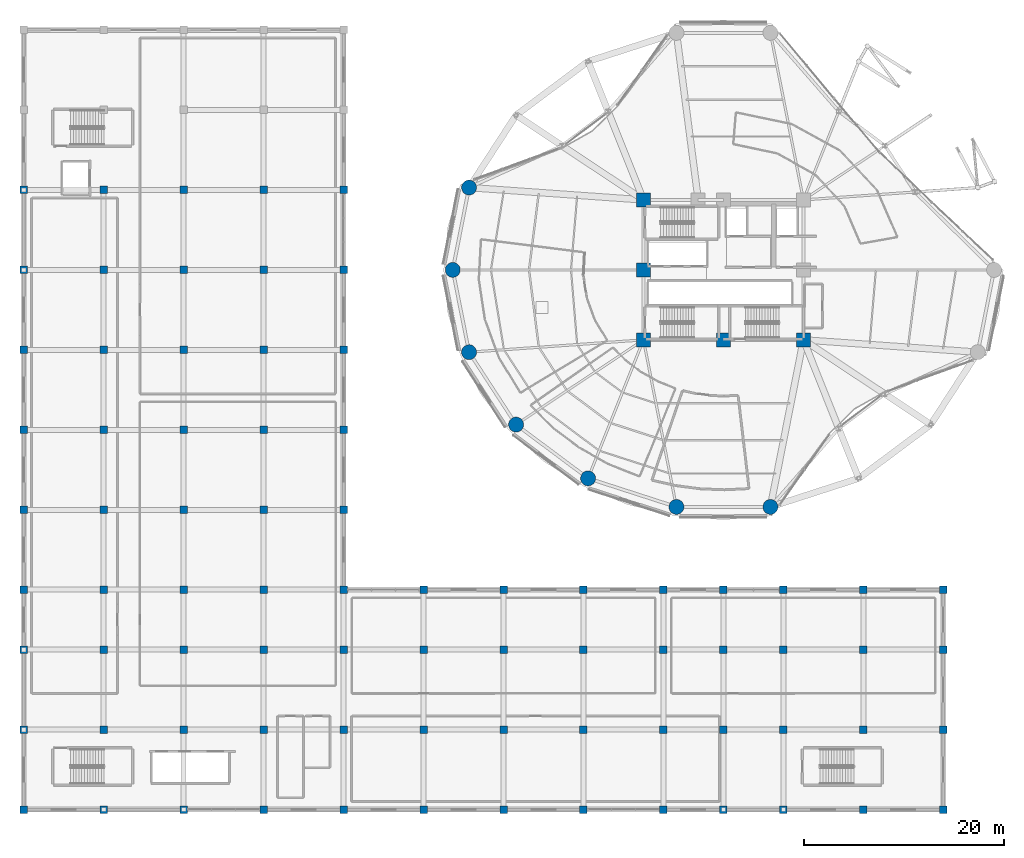
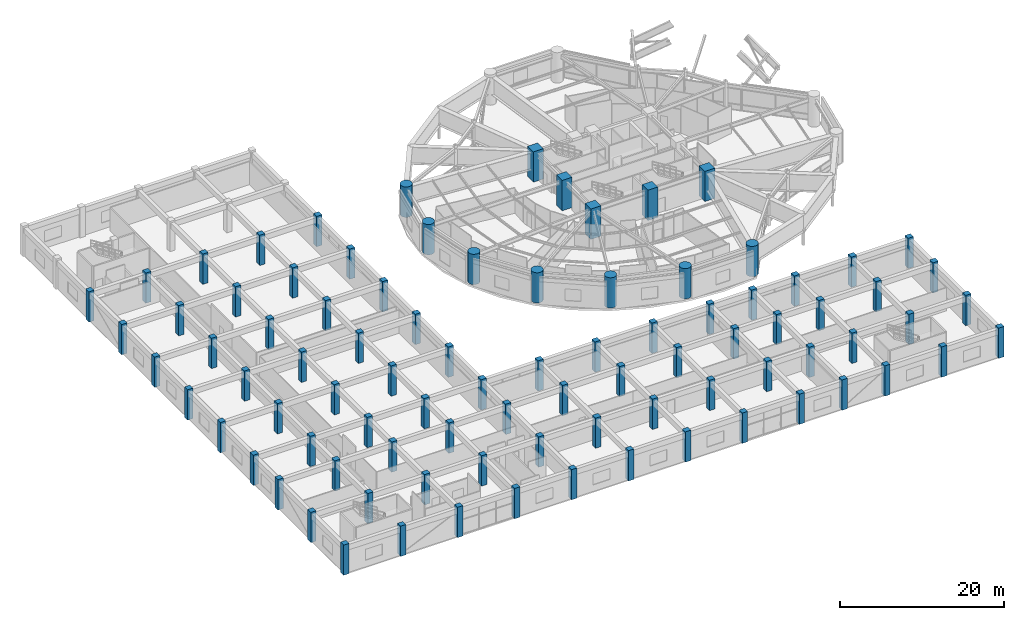
# One storey, part 1 of 53: 89 columns.
"""IFC4 building model written with IfcOpenShell, lengths in metres."""

from ifc_helpers import new_model, si_unit, direction, frame, origin, origin_2d, place, context, subcontext, project, spatial, rectangle, circle, extrude, material, material_profile, profile_set, type_object, element, save


model = new_model("IFC4")

# Units and contexts
model_context = context("Model", 3, precision=1e-05, world=origin(), true_north=direction((0.0, 1.0)))
body_context = subcontext(model_context, "Body", "Model", "MODEL_VIEW")
ifc_project = project(units=[si_unit("LENGTHUNIT", "METRE"), si_unit("AREAUNIT", "SQUARE_METRE"), si_unit("VOLUMEUNIT", "CUBIC_METRE"), si_unit("PLANEANGLEUNIT", "RADIAN"), si_unit("MASSUNIT", "GRAM", prefix="KILO")], contexts=[model_context])

# Site, building, storey
site_placement = place(None, origin())
site = spatial("IfcSite", under=ifc_project, at=site_placement, CompositionType="ELEMENT")
building_placement = place(site_placement, origin())
building = spatial("IfcBuilding", under=site, at=building_placement, Name="Kelanora Arch Commons", CompositionType="ELEMENT")
storey_placement = place(building_placement, frame((0.0, 0.0, 9.0)))
storey = spatial("IfcBuildingStorey", under=building, at=storey_placement, Name="L02", CompositionType="ELEMENT", Elevation=9.0)

# Columns
ifc_material_1 = material(Name="Concrete C50/60", Category="concrete")
ifc_material_profile_1 = material_profile(ifc_material_1, rectangle(XDim=0.75, YDim=0.75, at=origin_2d()), Name="RC750x750")
ifc_profile_set_1 = profile_set([ifc_material_profile_1], Name="Concrete C50/60")
column_type_1 = type_object("IfcColumnType", Name="COL-MKT-MAIN", PredefinedType="COLUMN", material=ifc_profile_set_1)
for number, where, z_axis, x_axis, name in (
    (1, (4.0, 4.0, 0.0), (0.0, 0.0, 1.0), (1.0, 0.0, 0.0), "Market Hall Column 1-A L02"),
    (2, (4.0, 12.0, 0.0), (0.0, 0.0, 1.0), (1.0, 0.0, 0.0), "Market Hall Column 1-B L02"),
    (3, (4.0, 20.0, 0.0), (0.0, 0.0, 1.0), (1.0, 0.0, 0.0), "Market Hall Column 1-C L02"),
    (4, (4.0, 26.0, 0.0), (0.0, 0.0, 1.0), (1.0, 0.0, 0.0), "Market Hall Column 1-D L02"),
    (5, (4.0, 34.0, 0.0), (0.0, 0.0, 1.0), (1.0, 0.0, 0.0), "Market Hall Column 1-E L02"),
    (6, (4.0, 42.0, 0.0), (0.0, 0.0, 1.0), (1.0, 0.0, 0.0), "Market Hall Column 1-F L02"),
    (7, (4.0, 50.0, 0.0), (0.0, 0.0, 1.0), (1.0, 0.0, 0.0), "Market Hall Column 1-G L02"),
    (8, (4.0, 58.0, 0.0), (0.0, 0.0, 1.0), (1.0, 0.0, 0.0), "Market Hall Column 1-H L02"),
    (9, (4.0, 66.0, 0.0), (0.0, 0.0, 1.0), (1.0, 0.0, 0.0), "Market Hall Column 1-J L02"),
    (10, (12.0, 4.0, 0.0), (0.0, 0.0, 1.0), (1.0, 0.0, 0.0), "Market Hall Column 2-A L02"),
    (11, (12.0, 12.0, 0.0), (0.0, 0.0, 1.0), (1.0, 0.0, 0.0), "Market Hall Column 2-B L02"),
    (12, (12.0, 20.0, 0.0), (0.0, 0.0, 1.0), (1.0, 0.0, 0.0), "Market Hall Column 2-C L02"),
    (13, (12.0, 26.0, 0.0), (0.0, 0.0, 1.0), (1.0, 0.0, 0.0), "Market Hall Column 2-D L02"),
    (14, (12.0, 34.0, 0.0), (0.0, 0.0, 1.0), (1.0, 0.0, 0.0), "Market Hall Column 2-E L02"),
    (15, (12.0, 42.0, 0.0), (0.0, 0.0, 1.0), (1.0, 0.0, 0.0), "Market Hall Column 2-F L02"),
    (16, (12.0, 50.0, 0.0), (0.0, 0.0, 1.0), (1.0, 0.0, 0.0), "Market Hall Column 2-G L02"),
    (17, (12.0, 58.0, 0.0), (0.0, 0.0, 1.0), (1.0, 0.0, 0.0), "Market Hall Column 2-H L02"),
    (18, (12.0, 66.0, 0.0), (0.0, 0.0, 1.0), (1.0, 0.0, 0.0), "Market Hall Column 2-J L02"),
    (19, (20.0, 4.0, 0.0), (0.0, 0.0, 1.0), (1.0, 0.0, 0.0), "Market Hall Column 3-A L02"),
    (20, (20.0, 12.0, 0.0), (0.0, 0.0, 1.0), (1.0, 0.0, 0.0), "Market Hall Column 3-B L02"),
    (21, (20.0, 20.0, 0.0), (0.0, 0.0, 1.0), (1.0, 0.0, 0.0), "Market Hall Column 3-C L02"),
    (22, (20.0, 26.0, 0.0), (0.0, 0.0, 1.0), (1.0, 0.0, 0.0), "Market Hall Column 3-D L02"),
    (23, (20.0, 34.0, 0.0), (0.0, 0.0, 1.0), (1.0, 0.0, 0.0), "Market Hall Column 3-E L02"),
    (24, (20.0, 42.0, 0.0), (0.0, 0.0, 1.0), (1.0, 0.0, 0.0), "Market Hall Column 3-F L02"),
    (25, (20.0, 50.0, 0.0), (0.0, 0.0, 1.0), (1.0, 0.0, 0.0), "Market Hall Column 3-G L02"),
    (26, (20.0, 58.0, 0.0), (0.0, 0.0, 1.0), (1.0, 0.0, 0.0), "Market Hall Column 3-H L02"),
    (27, (20.0, 66.0, 0.0), (0.0, 0.0, 1.0), (1.0, 0.0, 0.0), "Market Hall Column 3-J L02"),
    (28, (28.0, 4.0, 0.0), (0.0, 0.0, 1.0), (1.0, 0.0, 0.0), "Market Hall Column 4-A L02"),
    (29, (28.0, 12.0, 0.0), (0.0, 0.0, 1.0), (1.0, 0.0, 0.0), "Market Hall Column 4-B L02"),
    (30, (28.0, 20.0, 0.0), (0.0, 0.0, 1.0), (1.0, 0.0, 0.0), "Market Hall Column 4-C L02"),
    (31, (28.0, 26.0, 0.0), (0.0, 0.0, 1.0), (1.0, 0.0, 0.0), "Market Hall Column 4-D L02"),
    (32, (28.0, 34.0, 0.0), (0.0, 0.0, 1.0), (1.0, 0.0, 0.0), "Market Hall Column 4-E L02"),
    (33, (28.0, 42.0, 0.0), (0.0, 0.0, 1.0), (1.0, 0.0, 0.0), "Market Hall Column 4-F L02"),
    (34, (28.0, 50.0, 0.0), (0.0, 0.0, 1.0), (1.0, 0.0, 0.0), "Market Hall Column 4-G L02"),
    (35, (28.0, 58.0, 0.0), (0.0, 0.0, 1.0), (1.0, 0.0, 0.0), "Market Hall Column 4-H L02"),
    (36, (28.0, 66.0, 0.0), (0.0, 0.0, 1.0), (1.0, 0.0, 0.0), "Market Hall Column 4-J L02"),
    (37, (36.0, 4.0, 0.0), (0.0, 0.0, 1.0), (1.0, 0.0, 0.0), "Market Hall Column 5-A L02"),
    (38, (36.0, 12.0, 0.0), (0.0, 0.0, 1.0), (1.0, 0.0, 0.0), "Market Hall Column 5-B L02"),
    (39, (36.0, 20.0, 0.0), (0.0, 0.0, 1.0), (1.0, 0.0, 0.0), "Market Hall Column 5-C L02"),
    (40, (36.0, 26.0, 0.0), (0.0, 0.0, 1.0), (1.0, 0.0, 0.0), "Market Hall Column 5-D L02"),
    (41, (36.0, 34.0, 0.0), (0.0, 0.0, 1.0), (1.0, 0.0, 0.0), "Market Hall Column 5-E L02"),
    (42, (36.0, 42.0, 0.0), (0.0, 0.0, 1.0), (1.0, 0.0, 0.0), "Market Hall Column 5-F L02"),
    (43, (36.0, 50.0, 0.0), (0.0, 0.0, 1.0), (1.0, 0.0, 0.0), "Market Hall Column 5-G L02"),
    (44, (36.0, 58.0, 0.0), (0.0, 0.0, 1.0), (1.0, 0.0, 0.0), "Market Hall Column 5-H L02"),
    (45, (36.0, 66.0, 0.0), (0.0, 0.0, 1.0), (1.0, 0.0, 0.0), "Market Hall Column 5-J L02"),
    (46, (44.0, 4.0, 0.0), (0.0, 0.0, 1.0), (1.0, 0.0, 0.0), "Market Hall Column 6-A L02"),
    (47, (44.0, 12.0, 0.0), (0.0, 0.0, 1.0), (1.0, 0.0, 0.0), "Market Hall Column 6-B L02"),
    (48, (44.0, 20.0, 0.0), (0.0, 0.0, 1.0), (1.0, 0.0, 0.0), "Market Hall Column 6-C L02"),
    (49, (44.0, 26.0, 0.0), (0.0, 0.0, 1.0), (1.0, 0.0, 0.0), "Market Hall Column 6-D L02"),
    (50, (52.0, 4.0, 0.0), (0.0, 0.0, 1.0), (1.0, 0.0, 0.0), "Market Hall Column 7-A L02"),
    (51, (52.0, 12.0, 0.0), (0.0, 0.0, 1.0), (1.0, 0.0, 0.0), "Market Hall Column 7-B L02"),
    (52, (52.0, 20.0, 0.0), (0.0, 0.0, 1.0), (1.0, 0.0, 0.0), "Market Hall Column 7-C L02"),
    (53, (52.0, 26.0, 0.0), (0.0, 0.0, 1.0), (1.0, 0.0, 0.0), "Market Hall Column 7-D L02"),
    (54, (60.0, 4.0, 0.0), (0.0, 0.0, 1.0), (1.0, 0.0, 0.0), "Market Hall Column 8-A L02"),
    (55, (60.0, 12.0, 0.0), (0.0, 0.0, 1.0), (1.0, 0.0, 0.0), "Market Hall Column 8-B L02"),
    (56, (60.0, 20.0, 0.0), (0.0, 0.0, 1.0), (1.0, 0.0, 0.0), "Market Hall Column 8-C L02"),
    (57, (60.0, 26.0, 0.0), (0.0, 0.0, 1.0), (1.0, 0.0, 0.0), "Market Hall Column 8-D L02"),
    (58, (68.0, 4.0, 0.0), (0.0, 0.0, 1.0), (1.0, 0.0, 0.0), "Market Hall Column 9-A L02"),
    (59, (68.0, 12.0, 0.0), (0.0, 0.0, 1.0), (1.0, 0.0, 0.0), "Market Hall Column 9-B L02"),
    (60, (68.0, 20.0, 0.0), (0.0, 0.0, 1.0), (1.0, 0.0, 0.0), "Market Hall Column 9-C L02"),
    (61, (68.0, 26.0, 0.0), (0.0, 0.0, 1.0), (1.0, 0.0, 0.0), "Market Hall Column 9-D L02"),
    (62, (74.0, 4.0, 0.0), (0.0, 0.0, 1.0), (1.0, 0.0, 0.0), "Market Hall Column 10-A L02"),
    (63, (74.0, 12.0, 0.0), (0.0, 0.0, 1.0), (1.0, 0.0, 0.0), "Market Hall Column 10-B L02"),
    (64, (74.0, 20.0, 0.0), (0.0, 0.0, 1.0), (1.0, 0.0, 0.0), "Market Hall Column 10-C L02"),
    (65, (74.0, 26.0, 0.0), (0.0, 0.0, 1.0), (1.0, 0.0, 0.0), "Market Hall Column 10-D L02"),
    (66, (80.0, 4.0, 0.0), (0.0, 0.0, 1.0), (1.0, 0.0, 0.0), "Market Hall Column 11-A L02"),
    (67, (80.0, 12.0, 0.0), (0.0, 0.0, 1.0), (1.0, 0.0, 0.0), "Market Hall Column 11-B L02"),
    (68, (80.0, 20.0, 0.0), (0.0, 0.0, 1.0), (1.0, 0.0, 0.0), "Market Hall Column 11-C L02"),
    (69, (80.0, 26.0, 0.0), (0.0, 0.0, 1.0), (1.0, 0.0, 0.0), "Market Hall Column 11-D L02"),
    (70, (88.0, 4.0, 0.0), (0.0, 0.0, 1.0), (1.0, 0.0, 0.0), "Market Hall Column 12-A L02"),
    (71, (88.0, 12.0, 0.0), (0.0, 0.0, 1.0), (1.0, 0.0, 0.0), "Market Hall Column 12-B L02"),
    (72, (88.0, 20.0, 0.0), (0.0, 0.0, 1.0), (1.0, 0.0, 0.0), "Market Hall Column 12-C L02"),
    (73, (88.0, 26.0, 0.0), (0.0, 0.0, 1.0), (1.0, 0.0, 0.0), "Market Hall Column 12-D L02"),
    (74, (96.0, 4.0, 0.0), (0.0, 0.0, 1.0), (1.0, 0.0, 0.0), "Market Hall Column 13-A L02"),
    (75, (96.0, 12.0, 0.0), (0.0, 0.0, 1.0), (1.0, 0.0, 0.0), "Market Hall Column 13-B L02"),
    (76, (96.0, 20.0, 0.0), (0.0, 0.0, 1.0), (1.0, 0.0, 0.0), "Market Hall Column 13-C L02"),
    (77, (96.0, 26.0, 0.0), (0.0, 0.0, 1.0), (1.0, 0.0, 0.0), "Market Hall Column 13-D L02"),
):
    element("IfcColumn", number, at=place(storey_placement, frame(where, z_axis=z_axis, x_axis=x_axis)), inside=storey, type_object=column_type_1, Name=name, PredefinedType="COLUMN", context=body_context, shape_type="SweptSolid", body=[
        extrude(rectangle(XDim=0.75, YDim=0.75, at=origin_2d()), origin(), (0.0, 0.0, 1.0), 4.5),
    ])
ifc_material_2 = material(Name="Concrete C60/75", Category="concrete")
ifc_material_profile_2 = material_profile(ifc_material_2, circle(Radius=0.75, at=origin_2d()), Name="RCC1500")
ifc_profile_set_2 = profile_set([ifc_material_profile_2], Name="Concrete C60/75")
column_type_2 = type_object("IfcColumnType", Name="COL-PERIM-Z1", PredefinedType="COLUMN", material=ifc_profile_set_2)
for number, where, z_axis, x_axis, name in (
    (78, (48.552978515625, 66.23583984375, 0.0), (0.0, 0.0, 1.0), (1.0, 0.0, 0.0), "Perimeter Ring Column CP-16 L02"),
    (79, (46.919921875, 58.0, 0.0), (0.0, 0.0, 1.0), (1.0, 0.0, 0.0), "Perimeter Ring Column CP-18 L02"),
    (80, (48.552978515625, 49.76416015625, 0.0), (0.0, 0.0, 1.0), (1.0, 0.0, 0.0), "Perimeter Ring Column CP-20 L02"),
    (81, (53.255615234375, 42.521728515625, 0.0), (0.0, 0.0, 1.0), (1.0, 0.0, 0.0), "Perimeter Ring Column CP-22 L02"),
    (82, (60.4599609375, 37.14599609375, 0.0), (0.0, 0.0, 1.0), (1.0, 0.0, 0.0), "Perimeter Ring Column CP-24 L02"),
    (83, (69.297607421875, 34.285888671875, 0.0), (0.0, 0.0, 1.0), (1.0, 0.0, 0.0), "Perimeter Ring Column CP-26 L02"),
    (84, (78.702392578125, 34.285888671875, 0.0), (0.0, 0.0, 1.0), (1.0, 0.0, 0.0), "Perimeter Ring Column CP-28 L02"),
):
    element("IfcColumn", number, at=place(storey_placement, frame(where, z_axis=z_axis, x_axis=x_axis)), inside=storey, type_object=column_type_2, Name=name, PredefinedType="COLUMN", context=body_context, shape_type="SweptSolid", body=[
        extrude(circle(Radius=0.75, at=origin_2d()), origin(), (0.0, 0.0, 1.0), 4.5),
    ])
ifc_material_profile_3 = material_profile(ifc_material_2, rectangle(XDim=1.39990234375, YDim=1.39990234375, at=origin_2d()), Name="RC1400x1400")
ifc_profile_set_3 = profile_set([ifc_material_profile_3], Name="Concrete C60/75")
column_type_3 = type_object("IfcColumnType", Name="COL-PIL-LOW", PredefinedType="PILASTER", material=ifc_profile_set_3)
for number, where, z_axis, x_axis, name in (
    (85, (66.0, 51.0, 0.0), (0.0, 0.0, 1.0), (1.0, 0.0, 0.0), "Core Pilaster Column CP1 L02"),
    (86, (74.0, 51.0, 0.0), (0.0, 0.0, 1.0), (1.0, 0.0, 0.0), "Core Pilaster Column CP2 L02"),
    (87, (82.0, 51.0, 0.0), (0.0, 0.0, 1.0), (1.0, 0.0, 0.0), "Core Pilaster Column CP3 L02"),
    (88, (66.0, 65.0, 0.0), (0.0, 0.0, 1.0), (1.0, 0.0, 0.0), "Core Pilaster Column CP7 L02"),
    (89, (66.0, 58.0, 0.0), (0.0, 0.0, 1.0), (1.0, 0.0, 0.0), "Core Pilaster Column CP8 L02"),
):
    element("IfcColumn", number, at=place(storey_placement, frame(where, z_axis=z_axis, x_axis=x_axis)), inside=storey, type_object=column_type_3, Name=name, PredefinedType="PILASTER", context=body_context, shape_type="SweptSolid", body=[
        extrude(rectangle(XDim=1.39990234375, YDim=1.39990234375, at=origin_2d()), origin(), (0.0, 0.0, 1.0), 4.5),
    ])

save(model, "model.ifc")
